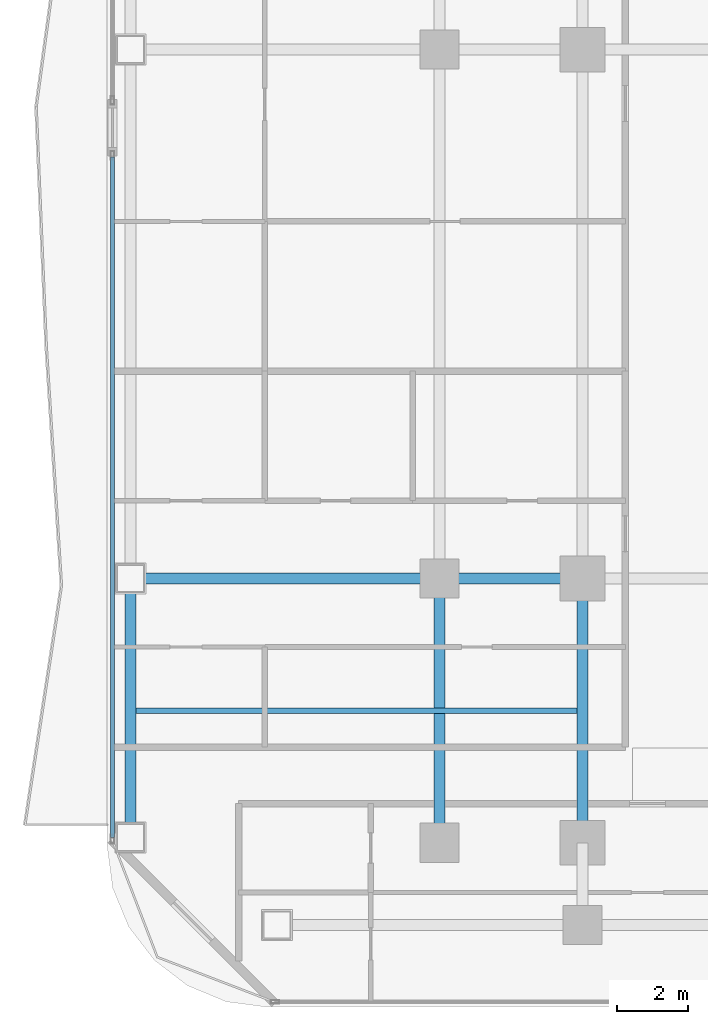
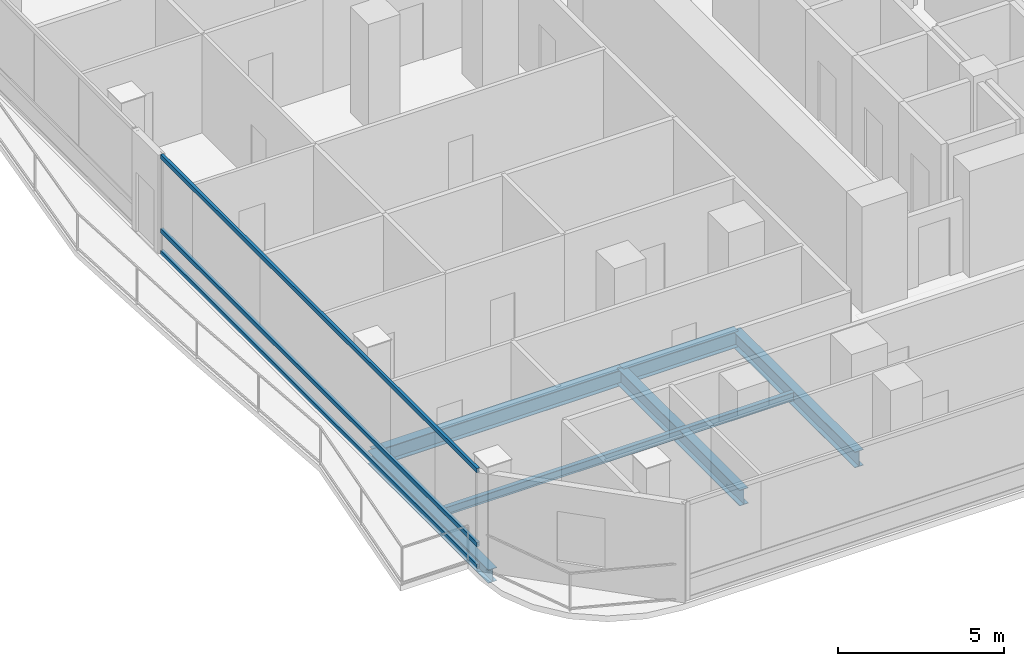
# One storey, part 3 of 28: 6 beams, 3 members, 1 element without a shape of its own.
"""IFC4 building model written with IfcOpenShell, lengths in metres."""

import ifcopenshell
import ifcopenshell.guid

model = None  # the IFC model being written
_history = None  # IfcOwnerHistory: only IFC2X3 demands one
_inside = {}  # id of a spatial element -> (the spatial element, [elements in it])
_under = {}  # id of a project, library or spatial element -> (it, [spatial elements below it])
_declared = {}  # id of a project -> (the project, [libraries it declares])
_typed = {}  # id of a type object -> (the type object, [elements of that type])
_made_of = {}  # id of a material, layer set ... -> (it, [elements and type objects made of it])


def new_model(schema):
    """Start an empty IFC model of exactly this schema.

    Asked for "IFC4X3", IfcOpenShell would pick the latest addendum, in which some entities
    have other attributes; the version numbers below select the first issue.
    IFC2X3 requires an IfcOwnerHistory on every rooted entity: one is made here for all.
    """
    global model, _history
    if schema == "IFC4X3":
        model = ifcopenshell.file(schema_version=(4, 3, 0, 0))
    else:
        model = ifcopenshell.file(schema=schema)
    _inside.clear()
    _under.clear()
    _declared.clear()
    _typed.clear()
    _made_of.clear()
    _history = None
    if model.schema == "IFC2X3":
        org = make("IfcOrganization", Name="unknown")
        user = make(
            "IfcPersonAndOrganization",
            ThePerson=make("IfcPerson", FamilyName="unknown"),
            TheOrganization=org,
        )
        app = make(
            "IfcApplication",
            ApplicationDeveloper=org,
            Version="unknown",
            ApplicationFullName="unknown",
            ApplicationIdentifier="unknown",
        )
        _history = make(
            "IfcOwnerHistory",
            OwningUser=user,
            OwningApplication=app,
            ChangeAction="ADDED",
            CreationDate=0,
        )
    return model


def make(cls, **values):
    """One entity of the class cls with the attributes given. An attribute that is None is left unset."""
    return model.create_entity(
        cls, **{name: value for name, value in values.items() if value is not None}
    )


def rooted(cls, **values):
    """An entity with a GlobalId (a new one), such as an element, a storey or a relation."""
    return make(cls, GlobalId=ifcopenshell.guid.new(), OwnerHistory=_history, **values)


def si_unit(unit_type, name, prefix=None):
    """IfcSIUnit, for example si_unit("LENGTHUNIT", "METRE", prefix="MILLI")."""
    return make("IfcSIUnit", UnitType=unit_type, Prefix=prefix, Name=name)


def assignment(units):
    """IfcUnitAssignment: the units of a project."""
    return None if units is None else make("IfcUnitAssignment", Units=units)


def point(xyz):
    """IfcCartesianPoint."""
    return None if xyz is None else make("IfcCartesianPoint", Coordinates=xyz)


def direction(xyz):
    """IfcDirection."""
    return None if xyz is None else make("IfcDirection", DirectionRatios=xyz)


def frame(location, z_axis=None, x_axis=None):
    """IfcAxis2Placement3D, a coordinate frame: its origin and axes. An axis left out is left unset."""
    return make(
        "IfcAxis2Placement3D",
        Location=point(location),
        Axis=direction(z_axis),
        RefDirection=direction(x_axis),
    )


def frame_2d(location, x_axis=None):
    """IfcAxis2Placement2D, a coordinate frame in the plane: its origin and x axis."""
    return make(
        "IfcAxis2Placement2D", Location=point(location), RefDirection=direction(x_axis)
    )


def origin():
    """The frame at (0, 0, 0) with its axes left unset."""
    return frame((0.0, 0.0, 0.0))


def origin_2d():
    """The frame at (0, 0) in the plane with its x axis left unset."""
    return frame_2d((0.0, 0.0))


def place(relative_to, where):
    """IfcLocalPlacement: puts the frame where relative to a parent placement (None: the world)."""
    return make(
        "IfcLocalPlacement", PlacementRelTo=relative_to, RelativePlacement=where
    )


def context(
    kind, dimensions, precision=None, world=None, true_north=None, identifier=None
):
    """IfcGeometricRepresentationContext, for example the 3D "Model" context."""
    return make(
        "IfcGeometricRepresentationContext",
        ContextIdentifier=identifier,
        ContextType=kind,
        CoordinateSpaceDimension=dimensions,
        Precision=precision,
        WorldCoordinateSystem=world,
        TrueNorth=true_north,
    )


def subcontext(parent, identifier, kind, view, scale=None):
    """IfcGeometricRepresentationSubContext, for example "Body" below "Model"."""
    return make(
        "IfcGeometricRepresentationSubContext",
        ContextIdentifier=identifier,
        ContextType=kind,
        ParentContext=parent,
        TargetScale=scale,
        TargetView=view,
    )


def project(units=None, contexts=None):
    """IfcProject with its units and contexts."""
    return rooted(
        "IfcProject",
        Name="project",
        RepresentationContexts=contexts,
        UnitsInContext=assignment(units),
    )


def spatial(cls, under=None, at=None, **own):
    """A site, building, storey or space (cls), placed at a placement, below another one or the project."""
    s = rooted(cls, ObjectPlacement=at, **own)
    if under is not None:
        _under.setdefault(under.id(), (under, []))[1].append(s)
    return s


def profile(cls, at=None, kind="AREA", **sizes):
    """A parametric profile (cls). Its sizes go by their IFC names, for example OverallWidth=200.0."""
    return make(cls, ProfileType=kind, Position=at, **sizes)


def hollow_rectangle(**sizes):
    """IfcRectangleHollowProfileDef."""
    return profile("IfcRectangleHollowProfileDef", **sizes)


def i_section(**sizes):
    """IfcIShapeProfileDef."""
    return profile("IfcIShapeProfileDef", **sizes)


def extrude(swept, where, along, depth):
    """IfcExtrudedAreaSolid: the profile swept, set in the frame where, extruded along a direction by depth."""
    return make(
        "IfcExtrudedAreaSolid",
        SweptArea=swept,
        Position=where,
        ExtrudedDirection=direction(along),
        Depth=depth,
    )


def shape(context_of_items, identifier, shape_type, items):
    """IfcShapeRepresentation: the items that make up one representation, for example the "Body"."""
    return make(
        "IfcShapeRepresentation",
        ContextOfItems=context_of_items,
        RepresentationIdentifier=identifier,
        RepresentationType=shape_type,
        Items=items,
    )


def material(Name=None, Category=None):
    """IfcMaterial."""
    return make("IfcMaterial", Name=Name, Category=Category)


def layer(
    of_material, thickness, ventilated=None, Name=None, Category=None, Priority=None
):
    """IfcMaterialLayer: one layer of a wall or slab, of a material (None: an air gap)."""
    return make(
        "IfcMaterialLayer",
        Material=of_material,
        LayerThickness=thickness,
        IsVentilated=ventilated,
        Name=Name,
        Category=Category,
        Priority=Priority,
    )


def layer_set(layers, Name=None):
    """IfcMaterialLayerSet."""
    return make("IfcMaterialLayerSet", MaterialLayers=layers, LayerSetName=Name)


def material_profile(
    of_material, cross_section, Name=None, Category=None, Priority=None
):
    """IfcMaterialProfile: a cross section and its material."""
    return make(
        "IfcMaterialProfile",
        Name=Name,
        Material=of_material,
        Profile=cross_section,
        Priority=Priority,
        Category=Category,
    )


def profile_set(profiles, Name=None, composite=None):
    """IfcMaterialProfileSet."""
    return make(
        "IfcMaterialProfileSet",
        Name=Name,
        MaterialProfiles=profiles,
        CompositeProfile=composite,
    )


def made_of(thing, what):
    """Note that an element or type object is made of a material, layer set ...; save() writes the relation."""
    if what is not None:
        _made_of.setdefault(what.id(), (what, []))[1].append(thing)
    return thing


def type_object(cls, material=None, **own):
    """A type object (cls), such as IfcWallType, which elements share."""
    return made_of(rooted(cls, **own), material)


def element(
    cls,
    number,
    at=None,
    inside=None,
    cuts=None,
    type_object=None,
    material=None,
    context=None,
    identifier="Body",
    shape_type=None,
    held_by="IfcProductDefinitionShape",
    body=None,
    shapes=None,
    **own,
):
    """One element of the class cls, such as IfcWall. Its Tag is "e" and its number.

    at: its placement. inside: the storey or other place that contains it. cuts: it is an
    opening in that element (IfcRelVoidsElement). A single representation is given by context,
    identifier, shape_type and body (its items); several are given by shapes. held_by: the class
    of the entity that holds the representations. save() writes the other relations.
    """
    e = rooted(cls, Tag="e%d" % number, ObjectPlacement=at, **own)
    if body is not None:
        shapes = [shape(context, identifier, shape_type, body)]
    if shapes is not None:
        e.Representation = make(held_by, Representations=shapes)
    if inside is not None:
        _inside.setdefault(inside.id(), (inside, []))[1].append(e)
    if cuts is not None:
        rooted(
            "IfcRelVoidsElement", RelatingBuildingElement=cuts, RelatedOpeningElement=e
        )
    if type_object is not None:
        _typed.setdefault(type_object.id(), (type_object, []))[1].append(e)
    return made_of(e, material)


def aggregate(whole, parts):
    """IfcRelAggregates: a whole, such as a stair, and the parts it consists of."""
    return rooted("IfcRelAggregates", RelatingObject=whole, RelatedObjects=parts)


def save(model, path):
    """Write the relations noted so far, then the file.

    IfcRelAggregates (storeys below a building ...), IfcRelContainedInSpatialStructure (elements
    in a storey), IfcRelDefinesByType, IfcRelAssociatesMaterial and IfcRelDeclares: one each for
    every whole, place, type object, material and project.
    """
    for whole, parts in _under.values():
        aggregate(whole, parts)
    for where, things in _inside.values():
        rooted(
            "IfcRelContainedInSpatialStructure",
            RelatedElements=things,
            RelatingStructure=where,
        )
    for kind, things in _typed.values():
        rooted("IfcRelDefinesByType", RelatedObjects=things, RelatingType=kind)
    for what, things in _made_of.values():
        rooted("IfcRelAssociatesMaterial", RelatedObjects=things, RelatingMaterial=what)
    for by, libraries in _declared.values():
        rooted("IfcRelDeclares", RelatingContext=by, RelatedDefinitions=libraries)
    model.write(path)


model = new_model("IFC4")

# Units and contexts
model_context = context("Model", 3, precision=1e-05, world=origin(), true_north=direction((0.0, 1.0)))
body_context = subcontext(model_context, "Body", "Model", "MODEL_VIEW")
ifc_project = project(units=[si_unit("LENGTHUNIT", "METRE"), si_unit("AREAUNIT", "SQUARE_METRE"), si_unit("VOLUMEUNIT", "CUBIC_METRE"), si_unit("PLANEANGLEUNIT", "RADIAN"), si_unit("MASSUNIT", "GRAM", prefix="KILO")], contexts=[model_context])

# Site, building, storey
site_placement = place(None, origin())
site = spatial("IfcSite", under=ifc_project, at=site_placement, CompositionType="ELEMENT")
building_placement = place(site_placement, origin())
building = spatial("IfcBuilding", under=site, at=building_placement, Name="Khorvyn Point Tower", CompositionType="ELEMENT")
storey_placement = place(building_placement, frame((0.0, 0.0, 104.699951171875)))
storey = spatial("IfcBuildingStorey", under=building, at=storey_placement, Name="L26", CompositionType="ELEMENT", Elevation=104.699951171875)

# Curtain wall, members
ifc_material_1 = material(Name="Anodised aluminium 6063-T6 and laminated Low-E glass", Category="aluminium")
ifc_layer = layer(ifc_material_1, 0.18994140625)
ifc_layer_set = layer_set([ifc_layer], Name="Stick-Built Finned Residential Curtain Wall CW-SYS-02")
curtain_wall_type = type_object("IfcCurtainWallType", Name="Stick-Built Finned Residential Curtain Wall CW-SYS-02", PredefinedType="NOTDEFINED", material=ifc_layer_set)
curtain_wall_placement = place(storey_placement, origin())
curtain_wall = element("IfcCurtainWall", 1, at=curtain_wall_placement, inside=storey, type_object=curtain_wall_type, Name="Curtain Wall", PredefinedType="NOTDEFINED")
ifc_material_2 = material(Name="Anodised aluminium 6063-T6", Category="aluminium")
ifc_material_profile_1 = material_profile(ifc_material_2, hollow_rectangle(XDim=0.10009765625, YDim=0.159912109375, WallThickness=0.00439453125, at=origin_2d()))
ifc_profile_set_1 = profile_set([ifc_material_profile_1], Name="Anodised aluminium 6063-T6 ALU-TRN-100x160")
member_type = type_object("IfcMemberType", Name="Anodised Aluminium 6063-T6 Transom ALU-TRN-100x160", PredefinedType="USERDEFINED", material=ifc_profile_set_1)
member_1_placement = place(storey_placement, frame((-27.949951171875, -14.64990234375, 0.050048828125), z_axis=(0.0, 1.0, 0.0), x_axis=(-1.0, 0.0, 0.0)))
member_1 = element("IfcMember", 2, at=member_1_placement, type_object=member_type, Name="Transom", ObjectType="TRANSOM", PredefinedType="USERDEFINED", context=body_context, shape_type="SweptSolid", body=[
    extrude(hollow_rectangle(XDim=0.10009765625, YDim=0.159912109375, WallThickness=0.00439453125, at=origin_2d()), origin(), (0.0, 0.0, 1.0), 19.039794921875),
])
member_2_placement = place(storey_placement, frame((-27.949951171875, -14.64990234375, 0.85009765625), z_axis=(0.0, 1.0, 0.0), x_axis=(-1.0, 0.0, 0.0)))
member_2 = element("IfcMember", 3, at=member_2_placement, type_object=member_type, Name="Transom", ObjectType="TRANSOM", PredefinedType="USERDEFINED", context=body_context, shape_type="SweptSolid", body=[
    extrude(hollow_rectangle(XDim=0.10009765625, YDim=0.159912109375, WallThickness=0.00439453125, at=origin_2d()), origin(), (0.0, 0.0, 1.0), 19.039794921875),
])
member_3_placement = place(storey_placement, frame((-27.949951171875, -14.64990234375, 3.570068359375), z_axis=(0.0, 1.0, 0.0), x_axis=(-1.0, 0.0, 0.0)))
member_3 = element("IfcMember", 4, at=member_3_placement, type_object=member_type, Name="Transom", ObjectType="TRANSOM", PredefinedType="USERDEFINED", context=body_context, shape_type="SweptSolid", body=[
    extrude(hollow_rectangle(XDim=0.10009765625, YDim=0.159912109375, WallThickness=0.00439453125, at=origin_2d()), origin(), (0.0, 0.0, 1.0), 19.039794921875),
])
aggregate(curtain_wall, [member_1, member_2, member_3])

# Beams
ifc_material_3 = material(Name="Steel S355", Category="steel")
ifc_material_profile_2 = material_profile(ifc_material_3, i_section(OverallWidth=0.300048828125, OverallDepth=0.587890625, WebThickness=0.011962890625, FlangeThickness=0.02001953125, at=origin_2d()))
ifc_profile_set_2 = profile_set([ifc_material_profile_2], Name="Steel S355 H588x300x12x20")
beam_type_1 = type_object("IfcBeamType", Name="Steel S355 Beam H588x300x12x20", PredefinedType="BEAM", material=ifc_profile_set_2)
beam_1_placement = place(storey_placement, frame((-27.449951171875, -7.39990234375, -0.513916015625), z_axis=(1.0, 0.0, 0.0), x_axis=(0.0, 1.0, 0.0)))
element("IfcBeam", 5, at=beam_1_placement, inside=storey, type_object=beam_type_1, Name="Beam", PredefinedType="BEAM", context=body_context, shape_type="SweptSolid", body=[
    extrude(i_section(OverallWidth=0.300048828125, OverallDepth=0.587890625, WebThickness=0.011962890625, FlangeThickness=0.02001953125, at=origin_2d()), origin(), (0.0, 0.0, 1.0), 8.64990234375),
])
beam_2_placement = place(storey_placement, frame((-18.800048828125, -7.39990234375, -0.513916015625), z_axis=(1.0, 0.0, 0.0), x_axis=(0.0, 1.0, 0.0)))
element("IfcBeam", 6, at=beam_2_placement, inside=storey, type_object=beam_type_1, Name="Beam", PredefinedType="BEAM", context=body_context, shape_type="SweptSolid", body=[
    extrude(i_section(OverallWidth=0.300048828125, OverallDepth=0.587890625, WebThickness=0.011962890625, FlangeThickness=0.02001953125, at=origin_2d()), origin(), (0.0, 0.0, 1.0), 4.0),
])
for number, where, z_axis, x_axis, name in (
    (7, (-14.800048828125, -14.800048828125, -0.513916015625), (0.0, 1.0, 0.0), (-1.0, 0.0, 0.0), "Beam"),
    (8, (-18.800048828125, -14.800048828125, -0.513916015625), (0.0, 1.0, 0.0), (-1.0, 0.0, 0.0), "Beam"),
):
    element("IfcBeam", number, at=place(storey_placement, frame(where, z_axis=z_axis, x_axis=x_axis)), inside=storey, type_object=beam_type_1, Name=name, PredefinedType="BEAM", context=body_context, shape_type="SweptSolid", body=[
        extrude(i_section(OverallWidth=0.300048828125, OverallDepth=0.587890625, WebThickness=0.011962890625, FlangeThickness=0.02001953125, at=origin_2d()), origin(), (0.0, 0.0, 1.0), 7.400146484375),
    ])
ifc_material_profile_3 = material_profile(ifc_material_3, i_section(OverallWidth=0.14990234375, OverallDepth=0.300048828125, WebThickness=0.006591796875, FlangeThickness=0.009033203125, at=origin_2d()))
ifc_profile_set_3 = profile_set([ifc_material_profile_3], Name="Steel S355 H300x150x6.5x9")
beam_type_2 = type_object("IfcBeamType", Name="Steel S355 Joist H300x150x6.5x9", PredefinedType="JOIST", material=ifc_profile_set_3)
beam_3_placement = place(storey_placement, frame((-27.300048828125, -11.10009765625, -0.369873046875), z_axis=(1.0, 0.0, 0.0), x_axis=(0.0, 1.0, 0.0)))
element("IfcBeam", 9, at=beam_3_placement, inside=storey, type_object=beam_type_2, Name="Beam", PredefinedType="JOIST", context=body_context, shape_type="SweptSolid", body=[
    extrude(i_section(OverallWidth=0.14990234375, OverallDepth=0.300048828125, WebThickness=0.006591796875, FlangeThickness=0.009033203125, at=origin_2d()), origin(), (0.0, 0.0, 1.0), 12.35009765625),
])
ifc_material_profile_4 = material_profile(ifc_material_3, i_section(OverallWidth=0.300048828125, OverallDepth=0.488037109375, WebThickness=0.010986328125, FlangeThickness=0.01806640625, at=origin_2d()))
ifc_profile_set_4 = profile_set([ifc_material_profile_4], Name="Steel S355 H488x300x11x18")
beam_type_3 = type_object("IfcBeamType", Name="Steel S355 Spandrel H488x300x11x18", PredefinedType="SPANDREL", material=ifc_profile_set_4)
beam_4_placement = place(storey_placement, frame((-27.449951171875, -14.64990234375, -0.4638671875), z_axis=(0.0, 1.0, 0.0), x_axis=(-1.0, 0.0, 0.0)))
element("IfcBeam", 10, at=beam_4_placement, inside=storey, type_object=beam_type_3, Name="Beam", PredefinedType="SPANDREL", context=body_context, shape_type="SweptSolid", body=[
    extrude(i_section(OverallWidth=0.300048828125, OverallDepth=0.488037109375, WebThickness=0.010986328125, FlangeThickness=0.01806640625, at=origin_2d()), origin(), (0.0, 0.0, 1.0), 7.25),
])

save(model, "model.ifc")
